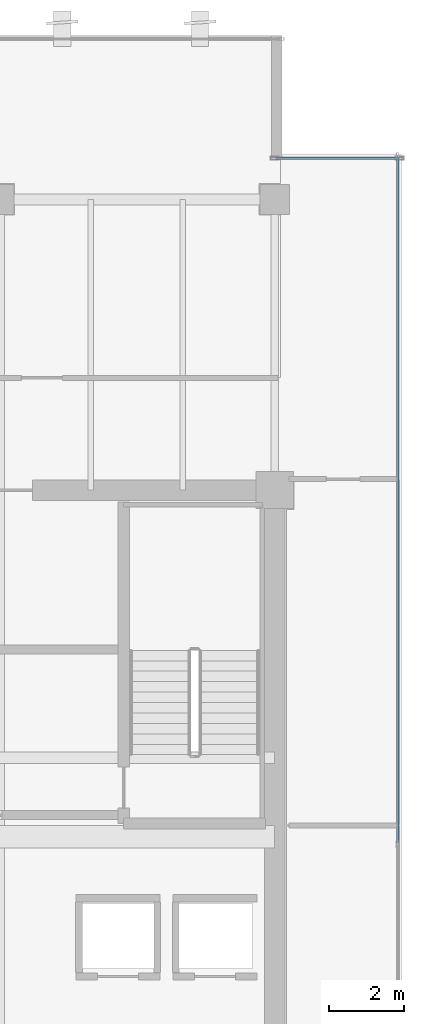
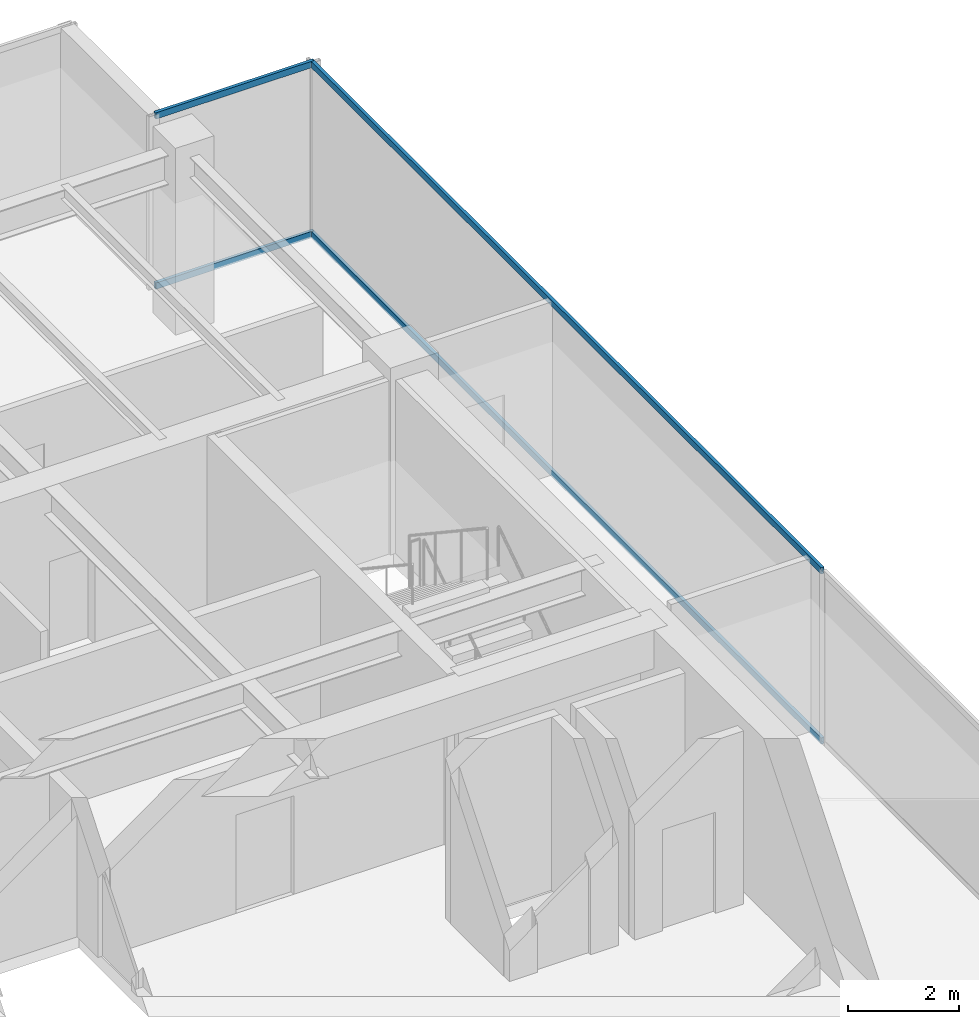
# One storey, part 25 of 35: 4 members, 2 elements without a shape of their own.
"""IFC4 building model written with IfcOpenShell, lengths in metres."""

import ifcopenshell
import ifcopenshell.guid

model = None  # the IFC model being written
_history = None  # IfcOwnerHistory: only IFC2X3 demands one
_inside = {}  # id of a spatial element -> (the spatial element, [elements in it])
_under = {}  # id of a project, library or spatial element -> (it, [spatial elements below it])
_declared = {}  # id of a project -> (the project, [libraries it declares])
_typed = {}  # id of a type object -> (the type object, [elements of that type])
_made_of = {}  # id of a material, layer set ... -> (it, [elements and type objects made of it])


def new_model(schema):
    """Start an empty IFC model of exactly this schema.

    Asked for "IFC4X3", IfcOpenShell would pick the latest addendum, in which some entities
    have other attributes; the version numbers below select the first issue.
    IFC2X3 requires an IfcOwnerHistory on every rooted entity: one is made here for all.
    """
    global model, _history
    if schema == "IFC4X3":
        model = ifcopenshell.file(schema_version=(4, 3, 0, 0))
    else:
        model = ifcopenshell.file(schema=schema)
    _inside.clear()
    _under.clear()
    _declared.clear()
    _typed.clear()
    _made_of.clear()
    _history = None
    if model.schema == "IFC2X3":
        org = make("IfcOrganization", Name="unknown")
        user = make(
            "IfcPersonAndOrganization",
            ThePerson=make("IfcPerson", FamilyName="unknown"),
            TheOrganization=org,
        )
        app = make(
            "IfcApplication",
            ApplicationDeveloper=org,
            Version="unknown",
            ApplicationFullName="unknown",
            ApplicationIdentifier="unknown",
        )
        _history = make(
            "IfcOwnerHistory",
            OwningUser=user,
            OwningApplication=app,
            ChangeAction="ADDED",
            CreationDate=0,
        )
    return model


def make(cls, **values):
    """One entity of the class cls with the attributes given. An attribute that is None is left unset."""
    return model.create_entity(
        cls, **{name: value for name, value in values.items() if value is not None}
    )


def rooted(cls, **values):
    """An entity with a GlobalId (a new one), such as an element, a storey or a relation."""
    return make(cls, GlobalId=ifcopenshell.guid.new(), OwnerHistory=_history, **values)


def si_unit(unit_type, name, prefix=None):
    """IfcSIUnit, for example si_unit("LENGTHUNIT", "METRE", prefix="MILLI")."""
    return make("IfcSIUnit", UnitType=unit_type, Prefix=prefix, Name=name)


def assignment(units):
    """IfcUnitAssignment: the units of a project."""
    return None if units is None else make("IfcUnitAssignment", Units=units)


def point(xyz):
    """IfcCartesianPoint."""
    return None if xyz is None else make("IfcCartesianPoint", Coordinates=xyz)


def direction(xyz):
    """IfcDirection."""
    return None if xyz is None else make("IfcDirection", DirectionRatios=xyz)


def frame(location, z_axis=None, x_axis=None):
    """IfcAxis2Placement3D, a coordinate frame: its origin and axes. An axis left out is left unset."""
    return make(
        "IfcAxis2Placement3D",
        Location=point(location),
        Axis=direction(z_axis),
        RefDirection=direction(x_axis),
    )


def frame_2d(location, x_axis=None):
    """IfcAxis2Placement2D, a coordinate frame in the plane: its origin and x axis."""
    return make(
        "IfcAxis2Placement2D", Location=point(location), RefDirection=direction(x_axis)
    )


def origin():
    """The frame at (0, 0, 0) with its axes left unset."""
    return frame((0.0, 0.0, 0.0))


def origin_2d():
    """The frame at (0, 0) in the plane with its x axis left unset."""
    return frame_2d((0.0, 0.0))


def place(relative_to, where):
    """IfcLocalPlacement: puts the frame where relative to a parent placement (None: the world)."""
    return make(
        "IfcLocalPlacement", PlacementRelTo=relative_to, RelativePlacement=where
    )


def context(
    kind, dimensions, precision=None, world=None, true_north=None, identifier=None
):
    """IfcGeometricRepresentationContext, for example the 3D "Model" context."""
    return make(
        "IfcGeometricRepresentationContext",
        ContextIdentifier=identifier,
        ContextType=kind,
        CoordinateSpaceDimension=dimensions,
        Precision=precision,
        WorldCoordinateSystem=world,
        TrueNorth=true_north,
    )


def subcontext(parent, identifier, kind, view, scale=None):
    """IfcGeometricRepresentationSubContext, for example "Body" below "Model"."""
    return make(
        "IfcGeometricRepresentationSubContext",
        ContextIdentifier=identifier,
        ContextType=kind,
        ParentContext=parent,
        TargetScale=scale,
        TargetView=view,
    )


def project(units=None, contexts=None):
    """IfcProject with its units and contexts."""
    return rooted(
        "IfcProject",
        Name="project",
        RepresentationContexts=contexts,
        UnitsInContext=assignment(units),
    )


def spatial(cls, under=None, at=None, **own):
    """A site, building, storey or space (cls), placed at a placement, below another one or the project."""
    s = rooted(cls, ObjectPlacement=at, **own)
    if under is not None:
        _under.setdefault(under.id(), (under, []))[1].append(s)
    return s


def profile(cls, at=None, kind="AREA", **sizes):
    """A parametric profile (cls). Its sizes go by their IFC names, for example OverallWidth=200.0."""
    return make(cls, ProfileType=kind, Position=at, **sizes)


def hollow_rectangle(**sizes):
    """IfcRectangleHollowProfileDef."""
    return profile("IfcRectangleHollowProfileDef", **sizes)


def extrude(swept, where, along, depth):
    """IfcExtrudedAreaSolid: the profile swept, set in the frame where, extruded along a direction by depth."""
    return make(
        "IfcExtrudedAreaSolid",
        SweptArea=swept,
        Position=where,
        ExtrudedDirection=direction(along),
        Depth=depth,
    )


def shape(context_of_items, identifier, shape_type, items):
    """IfcShapeRepresentation: the items that make up one representation, for example the "Body"."""
    return make(
        "IfcShapeRepresentation",
        ContextOfItems=context_of_items,
        RepresentationIdentifier=identifier,
        RepresentationType=shape_type,
        Items=items,
    )


def source(mapping_origin, context_of_items, identifier, shape_type, items):
    """IfcRepresentationMap: a shape defined once, which mapped items show again and again."""
    return make(
        "IfcRepresentationMap",
        MappingOrigin=mapping_origin,
        MappedRepresentation=shape(context_of_items, identifier, shape_type, items),
    )


def transform(
    local_origin,
    x_axis=None,
    y_axis=None,
    z_axis=None,
    scale=None,
    scale2=None,
    scale3=None,
    uniform=True,
):
    """IfcCartesianTransformationOperator3D, or its non-uniform kind. x_axis, y_axis, z_axis: its Axis1, 2, 3."""
    if uniform:
        return make(
            "IfcCartesianTransformationOperator3D",
            Axis1=direction(x_axis),
            Axis2=direction(y_axis),
            LocalOrigin=point(local_origin),
            Scale=scale,
            Axis3=direction(z_axis),
        )
    return make(
        "IfcCartesianTransformationOperator3DnonUniform",
        Axis1=direction(x_axis),
        Axis2=direction(y_axis),
        LocalOrigin=point(local_origin),
        Scale=scale,
        Axis3=direction(z_axis),
        Scale2=scale2,
        Scale3=scale3,
    )


def mapped(mapping_source, mapping_target):
    """IfcMappedItem: shows the shape of a source again, moved by a transform."""
    return make(
        "IfcMappedItem", MappingSource=mapping_source, MappingTarget=mapping_target
    )


def material(Name=None, Category=None):
    """IfcMaterial."""
    return make("IfcMaterial", Name=Name, Category=Category)


def layer(
    of_material, thickness, ventilated=None, Name=None, Category=None, Priority=None
):
    """IfcMaterialLayer: one layer of a wall or slab, of a material (None: an air gap)."""
    return make(
        "IfcMaterialLayer",
        Material=of_material,
        LayerThickness=thickness,
        IsVentilated=ventilated,
        Name=Name,
        Category=Category,
        Priority=Priority,
    )


def layer_set(layers, Name=None):
    """IfcMaterialLayerSet."""
    return make("IfcMaterialLayerSet", MaterialLayers=layers, LayerSetName=Name)


def material_profile(
    of_material, cross_section, Name=None, Category=None, Priority=None
):
    """IfcMaterialProfile: a cross section and its material."""
    return make(
        "IfcMaterialProfile",
        Name=Name,
        Material=of_material,
        Profile=cross_section,
        Priority=Priority,
        Category=Category,
    )


def profile_set(profiles, Name=None, composite=None):
    """IfcMaterialProfileSet."""
    return make(
        "IfcMaterialProfileSet",
        Name=Name,
        MaterialProfiles=profiles,
        CompositeProfile=composite,
    )


def made_of(thing, what):
    """Note that an element or type object is made of a material, layer set ...; save() writes the relation."""
    if what is not None:
        _made_of.setdefault(what.id(), (what, []))[1].append(thing)
    return thing


def type_object(cls, material=None, **own):
    """A type object (cls), such as IfcWallType, which elements share."""
    return made_of(rooted(cls, **own), material)


def type_shapes(of_type, sources):
    """Give a type object the sources (RepresentationMaps) that its elements show as mapped items."""
    of_type.RepresentationMaps = sources


def element(
    cls,
    number,
    at=None,
    inside=None,
    cuts=None,
    type_object=None,
    material=None,
    context=None,
    identifier="Body",
    shape_type=None,
    held_by="IfcProductDefinitionShape",
    body=None,
    shapes=None,
    **own,
):
    """One element of the class cls, such as IfcWall. Its Tag is "e" and its number.

    at: its placement. inside: the storey or other place that contains it. cuts: it is an
    opening in that element (IfcRelVoidsElement). A single representation is given by context,
    identifier, shape_type and body (its items); several are given by shapes. held_by: the class
    of the entity that holds the representations. save() writes the other relations.
    """
    e = rooted(cls, Tag="e%d" % number, ObjectPlacement=at, **own)
    if body is not None:
        shapes = [shape(context, identifier, shape_type, body)]
    if shapes is not None:
        e.Representation = make(held_by, Representations=shapes)
    if inside is not None:
        _inside.setdefault(inside.id(), (inside, []))[1].append(e)
    if cuts is not None:
        rooted(
            "IfcRelVoidsElement", RelatingBuildingElement=cuts, RelatedOpeningElement=e
        )
    if type_object is not None:
        _typed.setdefault(type_object.id(), (type_object, []))[1].append(e)
    return made_of(e, material)


def aggregate(whole, parts):
    """IfcRelAggregates: a whole, such as a stair, and the parts it consists of."""
    return rooted("IfcRelAggregates", RelatingObject=whole, RelatedObjects=parts)


def save(model, path):
    """Write the relations noted so far, then the file.

    IfcRelAggregates (storeys below a building ...), IfcRelContainedInSpatialStructure (elements
    in a storey), IfcRelDefinesByType, IfcRelAssociatesMaterial and IfcRelDeclares: one each for
    every whole, place, type object, material and project.
    """
    for whole, parts in _under.values():
        aggregate(whole, parts)
    for where, things in _inside.values():
        rooted(
            "IfcRelContainedInSpatialStructure",
            RelatedElements=things,
            RelatingStructure=where,
        )
    for kind, things in _typed.values():
        rooted("IfcRelDefinesByType", RelatedObjects=things, RelatingType=kind)
    for what, things in _made_of.values():
        rooted("IfcRelAssociatesMaterial", RelatedObjects=things, RelatingMaterial=what)
    for by, libraries in _declared.values():
        rooted("IfcRelDeclares", RelatingContext=by, RelatedDefinitions=libraries)
    model.write(path)


model = new_model("IFC4")

# Units and contexts
model_context = context("Model", 3, precision=1e-05, world=origin(), true_north=direction((0.0, 1.0)))
body_context = subcontext(model_context, "Body", "Model", "MODEL_VIEW")
ifc_project = project(units=[si_unit("LENGTHUNIT", "METRE"), si_unit("AREAUNIT", "SQUARE_METRE"), si_unit("VOLUMEUNIT", "CUBIC_METRE"), si_unit("PLANEANGLEUNIT", "RADIAN"), si_unit("MASSUNIT", "GRAM", prefix="KILO")], contexts=[model_context])

# Site, building, storey
site_placement = place(None, origin())
site = spatial("IfcSite", under=ifc_project, at=site_placement, CompositionType="ELEMENT")
building_placement = place(site_placement, origin())
building = spatial("IfcBuilding", under=site, at=building_placement, Name="Haelvirn Gate Laboratories", CompositionType="ELEMENT")
storey_placement = place(building_placement, frame((0.0, 0.0, 201.39990234375)))
storey = spatial("IfcBuildingStorey", under=building, at=storey_placement, Name="L48", CompositionType="ELEMENT", Elevation=201.39990234375)

# Curtain wall, members
ifc_material_1 = material(Name="Anodised bronze unitised aluminium & triple low-E glass", Category="aluminium")
ifc_layer_1 = layer(ifc_material_1, 0.181884765625, Name="CW-SYS-5")
ifc_layer_set_1 = layer_set([ifc_layer_1], Name="Anodised bronze unitised aluminium & triple low-E glass")
curtain_wall_type_1 = type_object("IfcCurtainWallType", Name="CW-SYS-5", PredefinedType="NOTDEFINED", material=ifc_layer_set_1)
curtain_wall_1_placement = place(storey_placement, origin())
curtain_wall_1 = element("IfcCurtainWall", 1, at=curtain_wall_1_placement, inside=storey, type_object=curtain_wall_type_1, Name="L48 Unitised Curtain Wall CW-L48-P0-E08-1", PredefinedType="NOTDEFINED")
ifc_material_2 = material(Name="Extruded aluminium 6063-T6 (anodised bronze)", Category="aluminium")
ifc_material_profile = material_profile(ifc_material_2, hollow_rectangle(XDim=0.06494140625, YDim=0.139892578125, WallThickness=0.00390625, at=origin_2d()), Name="CWT-140x65x4")
ifc_profile_set = profile_set([ifc_material_profile], Name="Extruded aluminium 6063-T6 (anodised bronze)")
member_type = type_object("IfcMemberType", Name="CWT-T140", PredefinedType="USERDEFINED", material=ifc_profile_set)
shared_shape_1 = source(origin(), body_context, "Body", "SweptSolid", [
    extrude(hollow_rectangle(XDim=0.06494140625, YDim=0.139892578125, WallThickness=0.00390625, at=origin_2d()), origin(), (0.0, 0.0, 1.0), 3.280029296875),
])
member_1_placement = place(storey_placement, frame((67.43994140625, 42.699951171875, 0.03271484375), z_axis=(1.0, 0.0, 0.0), x_axis=(0.0, 1.0, 0.0)))
member_1 = element("IfcMember", 2, at=member_1_placement, type_object=member_type, Name="CW5 transom 1.1", ObjectType="TRANSOM", PredefinedType="USERDEFINED", context=body_context, shape_type="MappedRepresentation", body=[
    mapped(shared_shape_1, transform((0.0, 0.0, 0.0), scale=1.0)),
])
member_2_placement = place(storey_placement, frame((67.43994140625, 42.699951171875, 3.767578125), z_axis=(1.0, 0.0, 0.0), x_axis=(0.0, 1.0, 0.0)))
member_2 = element("IfcMember", 3, at=member_2_placement, type_object=member_type, Name="CW5 transom 1.2", ObjectType="TRANSOM", PredefinedType="USERDEFINED", context=body_context, shape_type="MappedRepresentation", body=[
    mapped(shared_shape_1, transform((0.0, 0.0, 0.0), scale=1.0)),
])
aggregate(curtain_wall_1, [member_1, member_2])

ifc_layer_2 = layer(ifc_material_1, 0.176025390625, Name="CW-SYS-4")
ifc_layer_set_2 = layer_set([ifc_layer_2], Name="Anodised bronze unitised aluminium & triple low-E glass")
curtain_wall_type_2 = type_object("IfcCurtainWallType", Name="CW-SYS-4", PredefinedType="NOTDEFINED", material=ifc_layer_set_2)
curtain_wall_2_placement = place(storey_placement, origin())
curtain_wall_2 = element("IfcCurtainWall", 4, at=curtain_wall_2_placement, inside=storey, type_object=curtain_wall_type_2, Name="L48 Unitised Curtain Wall CW-L48-P0-E07", PredefinedType="NOTDEFINED")
shared_shape_2 = source(origin(), body_context, "Body", "SweptSolid", [
    extrude(hollow_rectangle(XDim=0.06494140625, YDim=0.139892578125, WallThickness=0.00390625, at=origin_2d()), origin(), (0.0, 0.0, 1.0), 18.39501953125),
])
type_shapes(member_type, [shared_shape_1, shared_shape_2])
member_3_placement = place(storey_placement, frame((70.699951171875, 24.3349609375, 0.03271484375), z_axis=(0.0, 1.0, 0.0), x_axis=(-1.0, 0.0, 0.0)))
member_3 = element("IfcMember", 5, at=member_3_placement, type_object=member_type, Name="CW4 transom 2.1", ObjectType="TRANSOM", PredefinedType="USERDEFINED", context=body_context, shape_type="MappedRepresentation", body=[
    mapped(shared_shape_2, transform((0.0, 0.0, 0.0), scale=1.0)),
])
member_4_placement = place(storey_placement, frame((70.699951171875, 24.3349609375, 3.767578125), z_axis=(0.0, 1.0, 0.0), x_axis=(-1.0, 0.0, 0.0)))
member_4 = element("IfcMember", 6, at=member_4_placement, type_object=member_type, Name="CW4 transom 2.2", ObjectType="TRANSOM", PredefinedType="USERDEFINED", context=body_context, shape_type="MappedRepresentation", body=[
    mapped(shared_shape_2, transform((0.0, 0.0, 0.0), scale=1.0)),
])
aggregate(curtain_wall_2, [member_3, member_4])

save(model, "model.ifc")
